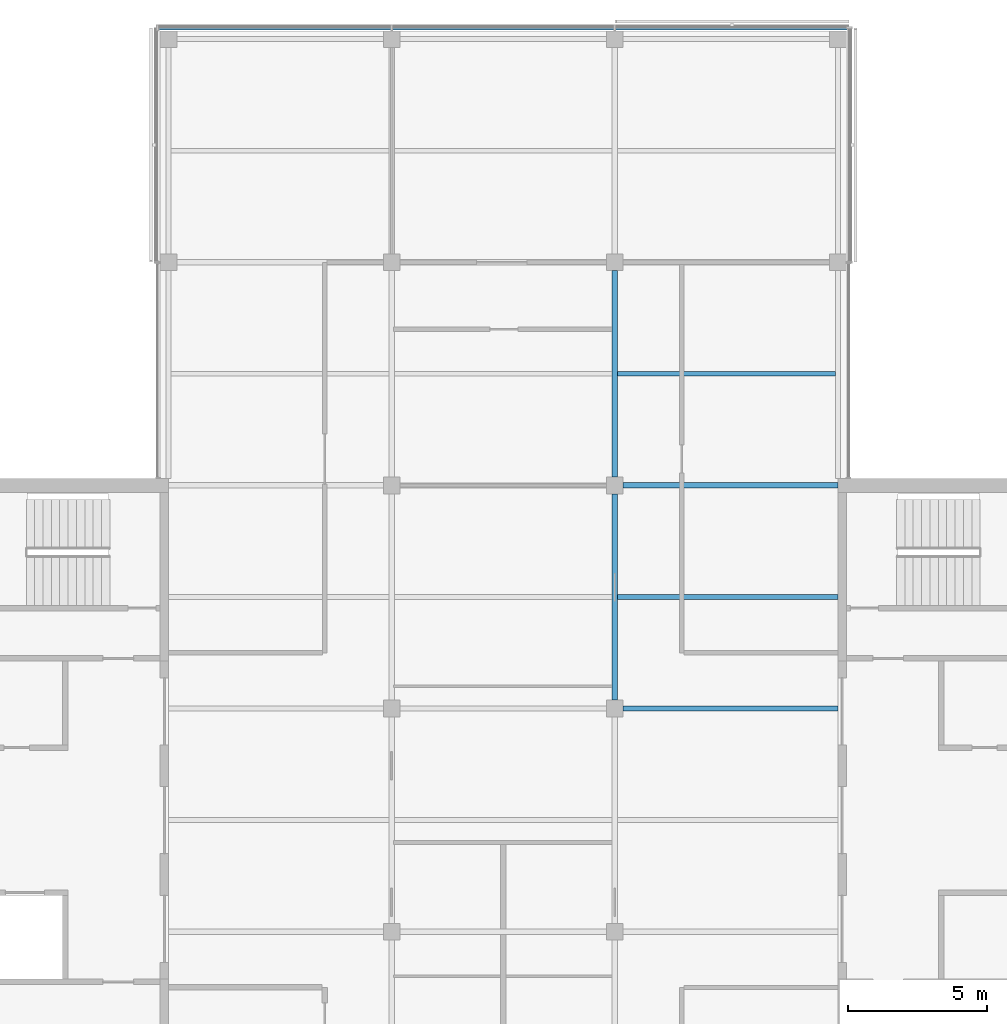
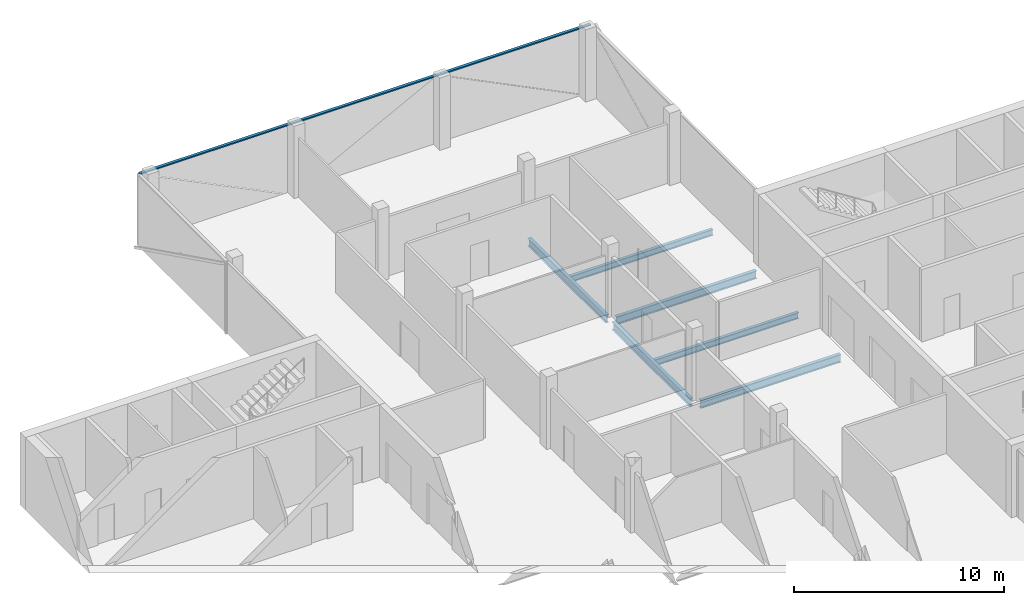
# One storey, part 6 of 15: 6 beams, 1 member, 1 element without a shape of its own.
"""IFC4 building model written with IfcOpenShell, lengths in metres."""

from ifc_helpers import new_model, si_unit, direction, frame, origin, origin_2d, place, context, subcontext, project, spatial, rectangle, i_section, extrude, material, material_profile, profile_set, type_object, element, aggregate, save


model = new_model("IFC4")

# Units and contexts
model_context = context("Model", 3, precision=1e-05, world=origin(), true_north=direction((0.0, 1.0)))
body_context = subcontext(model_context, "Body", "Model", "MODEL_VIEW")
ifc_project = project(units=[si_unit("LENGTHUNIT", "METRE"), si_unit("AREAUNIT", "SQUARE_METRE"), si_unit("VOLUMEUNIT", "CUBIC_METRE"), si_unit("PLANEANGLEUNIT", "RADIAN"), si_unit("MASSUNIT", "GRAM", prefix="KILO")], contexts=[model_context])

# Site, building, storey
site_placement = place(None, origin())
site = spatial("IfcSite", under=ifc_project, at=site_placement, CompositionType="ELEMENT")
building_placement = place(site_placement, origin())
building = spatial("IfcBuilding", under=site, at=building_placement, Name="Crosswind Convention Tower", CompositionType="ELEMENT")
storey_placement = place(building_placement, frame((0.0, 0.0, 315.5)))
storey = spatial("IfcBuildingStorey", under=building, at=storey_placement, Name="L68", CompositionType="ELEMENT", Elevation=315.5)

# Beams
ifc_material_1 = material(Name="Steel S355", Category="steel")
ifc_material_profile_1 = material_profile(ifc_material_1, i_section(OverallWidth=0.18994140625, OverallDepth=0.45361328125, WebThickness=0.008544921875, FlangeThickness=0.0126953125, FilletRadius=0.01025390625, at=origin_2d()), Name="UB 457x191x67")
ifc_profile_set_1 = profile_set([ifc_material_profile_1], Name="Steel S355")
beam_type_1 = type_object("IfcBeamType", Name="Girder UB 457x191x67", PredefinedType="BEAM", material=ifc_profile_set_1)
for number, where, z_axis, x_axis, name in (
    (1, (129.0, 104.300048828125, -0.52685546875), (0.0, 1.0, 0.0), (-1.0, 0.0, 0.0), "B1 L68 girder 20"),
    (2, (129.0, 112.300048828125, -0.52685546875), (0.0, 1.0, 0.0), (-1.0, 0.0, 0.0), "B1 L68 girder 21"),
):
    element("IfcBeam", number, at=place(storey_placement, frame(where, z_axis=z_axis, x_axis=x_axis)), inside=storey, type_object=beam_type_1, Name=name, PredefinedType="BEAM", context=body_context, shape_type="SweptSolid", body=[
        extrude(i_section(OverallWidth=0.18994140625, OverallDepth=0.45361328125, WebThickness=0.008544921875, FlangeThickness=0.0126953125, FilletRadius=0.01025390625, at=origin_2d()), origin(), (0.0, 0.0, 1.0), 7.39990234375),
    ])
ifc_material_profile_2 = material_profile(ifc_material_1, i_section(OverallWidth=0.1904296875, OverallDepth=0.457275390625, WebThickness=0.009033203125, FlangeThickness=0.014404296875, FilletRadius=0.01025390625, at=origin_2d()), Name="UB 457x191x75")
ifc_profile_set_2 = profile_set([ifc_material_profile_2], Name="Steel S355")
beam_type_2 = type_object("IfcBeamType", Name="Girder at core wall UB 457x191x75", PredefinedType="BEAM", material=ifc_profile_set_2)
for number, where, z_axis, x_axis, name in (
    (3, (129.300048828125, 104.0, -0.528564453125), (1.0, 0.0, 0.0), (0.0, 1.0, 0.0), "B22 L68 girder at core wall 7"),
    (4, (129.300048828125, 112.0, -0.528564453125), (1.0, 0.0, 0.0), (0.0, 1.0, 0.0), "B22 L68 girder at core wall 8"),
):
    element("IfcBeam", number, at=place(storey_placement, frame(where, z_axis=z_axis, x_axis=x_axis)), inside=storey, type_object=beam_type_2, Name=name, PredefinedType="BEAM", context=body_context, shape_type="SweptSolid", body=[
        extrude(i_section(OverallWidth=0.1904296875, OverallDepth=0.457275390625, WebThickness=0.009033203125, FlangeThickness=0.014404296875, FilletRadius=0.01025390625, at=origin_2d()), origin(), (0.0, 0.0, 1.0), 7.699951171875),
    ])
ifc_material_profile_3 = material_profile(ifc_material_1, i_section(OverallWidth=0.17138671875, OverallDepth=0.355712890625, WebThickness=0.00732421875, FlangeThickness=0.011474609375, FilletRadius=0.01025390625, at=origin_2d()), Name="UB 356x171x51")
ifc_profile_set_3 = profile_set([ifc_material_profile_3], Name="Steel S355")
beam_type_3 = type_object("IfcBeamType", Name="Secondary beam UB 356x171x51", PredefinedType="JOIST", material=ifc_profile_set_3)
beam_1_placement = place(storey_placement, frame((129.094970703125, 108.0, -0.477783203125), z_axis=(1.0, 0.0, 0.0), x_axis=(0.0, 1.0, 0.0)))
element("IfcBeam", 5, at=beam_1_placement, inside=storey, type_object=beam_type_3, Name="B8 L68 secondary beam 19", PredefinedType="JOIST", context=body_context, shape_type="SweptSolid", body=[
    extrude(i_section(OverallWidth=0.17138671875, OverallDepth=0.355712890625, WebThickness=0.00732421875, FlangeThickness=0.011474609375, FilletRadius=0.01025390625, at=origin_2d()), origin(), (0.0, 0.0, 1.0), 7.905029296875),
])
beam_2_placement = place(storey_placement, frame((129.094970703125, 116.0, -0.477783203125), z_axis=(1.0, 0.0, 0.0), x_axis=(0.0, 1.0, 0.0)))
element("IfcBeam", 6, at=beam_2_placement, inside=storey, type_object=beam_type_3, Name="B8 L68 secondary beam 20", PredefinedType="JOIST", context=body_context, shape_type="SweptSolid", body=[
    extrude(i_section(OverallWidth=0.17138671875, OverallDepth=0.355712890625, WebThickness=0.00732421875, FlangeThickness=0.011474609375, FilletRadius=0.01025390625, at=origin_2d()), origin(), (0.0, 0.0, 1.0), 7.816162109375),
])

# Curtain wall, member
ifc_material_2 = material(Name="Aluminium unitised curtain wall", Category="aluminium")
curtain_wall_type = type_object("IfcCurtainWallType", Name="OFFICE UNITISED WALL 220", PredefinedType="USERDEFINED", material=ifc_material_2)
curtain_wall_placement = place(storey_placement, origin())
curtain_wall = element("IfcCurtainWall", 7, at=curtain_wall_placement, inside=storey, type_object=curtain_wall_type, Name="CW3 L68 N-TIP 1", ObjectType="UNITISED", PredefinedType="USERDEFINED")
ifc_material_3 = material(Name="Aluminium transom", Category="aluminium")
ifc_material_profile_4 = material_profile(ifc_material_3, rectangle(XDim=0.159912109375, YDim=0.070068359375, at=origin_2d()), Name="AL 160X70")
ifc_profile_set_4 = profile_set([ifc_material_profile_4], Name="Aluminium transom")
member_type = type_object("IfcMemberType", Name="TRANSOM 70X160", PredefinedType="USERDEFINED", material=ifc_profile_set_4)
member_placement = place(storey_placement, frame((137.375, 128.409912109375, 3.864990234375), z_axis=(-1.0, 0.0, 0.0), x_axis=(0.0, -1.0, 0.0)))
member = element("IfcMember", 8, at=member_placement, type_object=member_type, Name="CW3 transom", ObjectType="TRANSOM", PredefinedType="USERDEFINED", context=body_context, shape_type="SweptSolid", body=[
    extrude(rectangle(XDim=0.159912109375, YDim=0.070068359375, at=origin_2d()), origin(), (0.0, 0.0, 1.0), 24.75),
])
aggregate(curtain_wall, [member])

save(model, "model.ifc")
